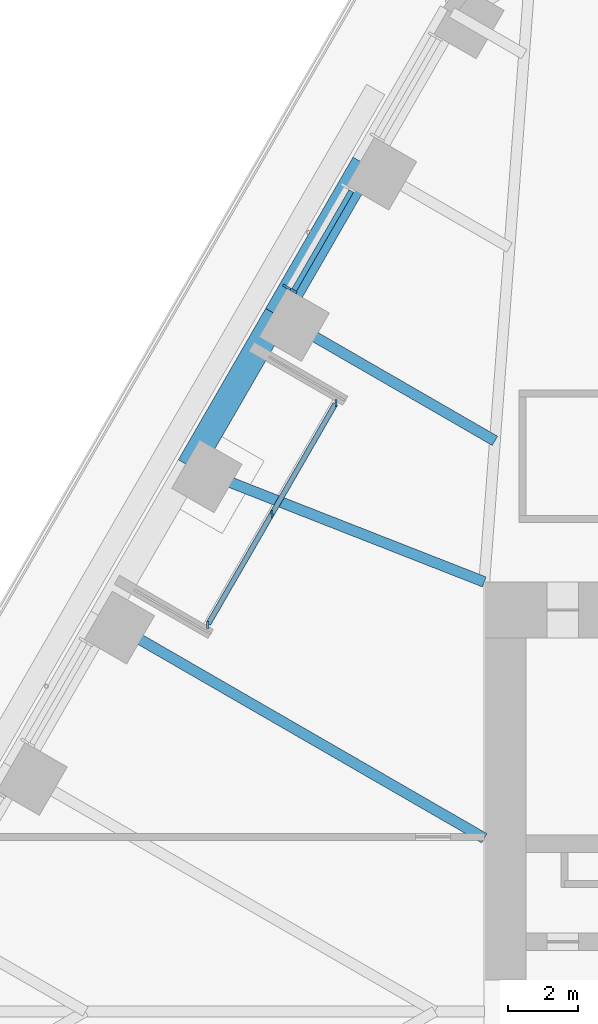
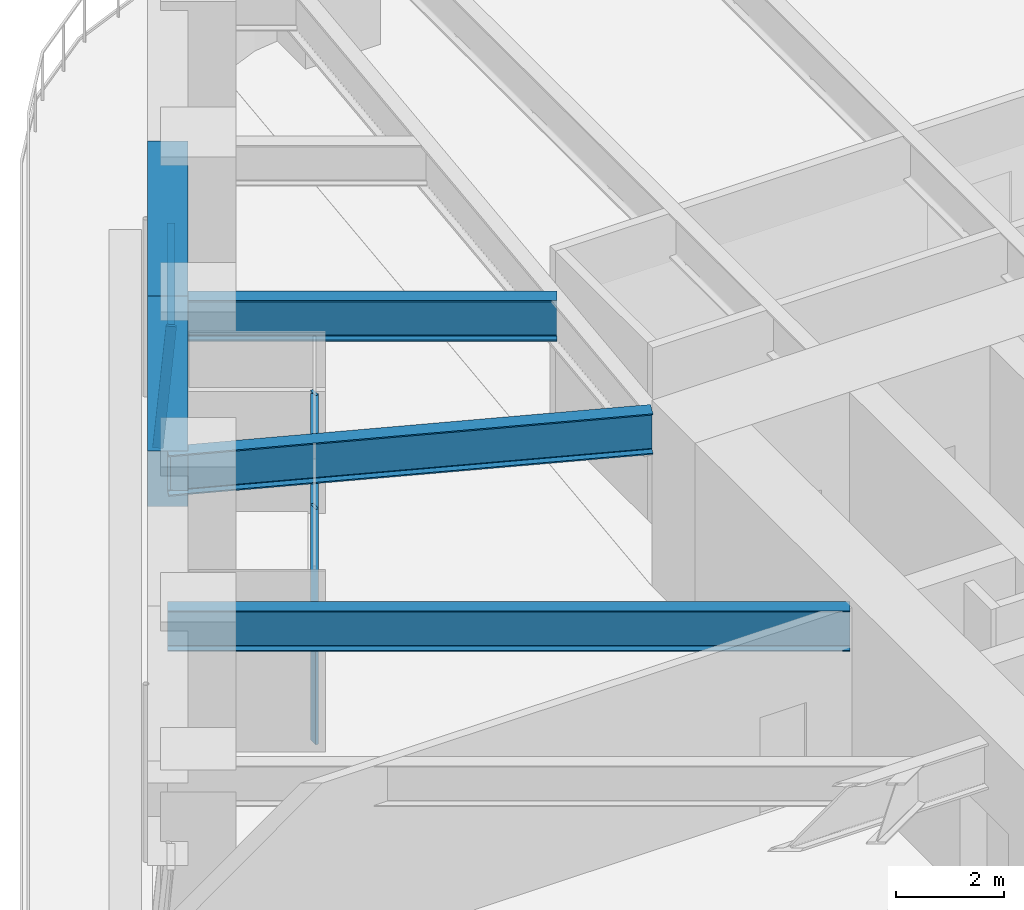
# One storey, part 8 of 24: 6 members, 5 beams, 2 elements without a shape of their own.
"""IFC4 building model written with IfcOpenShell, lengths in metres."""

from ifc_helpers import new_model, si_unit, direction, frame, origin, origin_2d, place, context, subcontext, project, spatial, rectangle, i_section, extrude, material, material_profile, profile_set, type_object, element, aggregate, save


model = new_model("IFC4")

# Units and contexts
model_context = context("Model", 3, precision=1e-05, world=origin(), true_north=direction((0.0, 1.0)))
body_context = subcontext(model_context, "Body", "Model", "MODEL_VIEW")
ifc_project = project(units=[si_unit("LENGTHUNIT", "METRE"), si_unit("AREAUNIT", "SQUARE_METRE"), si_unit("VOLUMEUNIT", "CUBIC_METRE"), si_unit("PLANEANGLEUNIT", "RADIAN"), si_unit("MASSUNIT", "GRAM", prefix="KILO")], contexts=[model_context])

# Site, building, storey
site_placement = place(None, origin())
site = spatial("IfcSite", under=ifc_project, at=site_placement, CompositionType="ELEMENT")
building_placement = place(site_placement, origin())
building = spatial("IfcBuilding", under=site, at=building_placement, Name="Tarfa Lantern Tower", CompositionType="ELEMENT")
storey_placement = place(building_placement, frame((0.0, 0.0, 165.699951171875)))
storey = spatial("IfcBuildingStorey", under=building, at=storey_placement, Name="L37", CompositionType="ELEMENT", Elevation=165.699951171875)

# Curtain wall, member
ifc_material_1 = material(Name="Aluminium framed curtain wall", Category="aluminium")
curtain_wall_type_1 = type_object("IfcCurtainWallType", Name="CW2 CANTED GLAZING MID ZONE 2750", PredefinedType="USERDEFINED", material=ifc_material_1)
curtain_wall_1_placement = place(storey_placement, origin())
curtain_wall_1 = element("IfcCurtainWall", 1, at=curtain_wall_1_placement, inside=storey, type_object=curtain_wall_type_1, Name="CW2 NW L37", ObjectType="CURTAIN WALL", PredefinedType="USERDEFINED")
ifc_material_2 = material(Name="Aluminium mullion", Category="aluminium")
ifc_material_profile_1 = material_profile(ifc_material_2, rectangle(XDim=0.06494140625, YDim=0.199951171875, at=origin_2d()), Name="AL MULLION 65x200")
ifc_profile_set_1 = profile_set([ifc_material_profile_1], Name="Aluminium mullion")
member_type_1 = type_object("IfcMemberType", Name="CWM1 MULLION 65x200", PredefinedType="MULLION", material=ifc_profile_set_1)
member_1_placement = place(storey_placement, frame((-24.275146484375, 20.75439453125, 0.0), z_axis=(0.078422950161, -0.045267813396, 0.995891894715), x_axis=(0.499919672301, 0.866071776036, 0.0)))
member_1 = element("IfcMember", 2, at=member_1_placement, type_object=member_type_1, Name="CW2 mullion 2", PredefinedType="MULLION", context=body_context, shape_type="SweptSolid", body=[
    extrude(rectangle(XDim=0.06494140625, YDim=0.199951171875, at=origin_2d()), origin(), (0.0, 0.0, 1.0), 2.76123046875),
])

# Curtain wall, members
curtain_wall_type_2 = type_object("IfcCurtainWallType", Name="CW10 LOGGIA GLAZING 2750", PredefinedType="USERDEFINED", material=ifc_material_1)
curtain_wall_2_placement = place(storey_placement, origin())
curtain_wall_2 = element("IfcCurtainWall", 3, at=curtain_wall_2_placement, inside=storey, type_object=curtain_wall_type_2, Name="CW10 NWL L37", ObjectType="CURTAIN WALL", PredefinedType="USERDEFINED")
member_2_placement = place(storey_placement, frame((-22.84619140625, 17.429443359375, 0.0), z_axis=(0.0, 0.0, 1.0), x_axis=(1.0, 0.0, 0.0)))
member_2 = element("IfcMember", 4, at=member_2_placement, type_object=member_type_1, Name="CW10 mullion 1", PredefinedType="MULLION", context=body_context, shape_type="SweptSolid", body=[
    extrude(rectangle(XDim=0.06494140625, YDim=0.199951171875, at=origin_2d()), origin(), (0.0, 0.0, 1.0), 2.75),
])
member_3_placement = place(storey_placement, frame((-24.681640625, 14.25, 0.0), z_axis=(0.0, 0.0, 1.0), x_axis=(1.0, 0.0, 0.0)))
member_3 = element("IfcMember", 5, at=member_3_placement, type_object=member_type_1, Name="CW10 mullion 2", PredefinedType="MULLION", context=body_context, shape_type="SweptSolid", body=[
    extrude(rectangle(XDim=0.06494140625, YDim=0.199951171875, at=origin_2d()), origin(), (0.0, 0.0, 1.0), 2.75),
])
member_4_placement = place(storey_placement, frame((-26.517333984375, 11.070556640625, 0.0), z_axis=(0.0, 0.0, 1.0), x_axis=(1.0, 0.0, 0.0)))
member_4 = element("IfcMember", 6, at=member_4_placement, type_object=member_type_1, Name="CW10 mullion 3", PredefinedType="MULLION", context=body_context, shape_type="SweptSolid", body=[
    extrude(rectangle(XDim=0.06494140625, YDim=0.199951171875, at=origin_2d()), origin(), (0.0, 0.0, 1.0), 2.75),
])

# Member
ifc_material_3 = material(Name="Aluminium transom", Category="aluminium")
ifc_material_profile_2 = material_profile(ifc_material_3, rectangle(XDim=0.14990234375, YDim=0.06494140625, at=origin_2d()), Name="AL TRANSOM 150x65")
ifc_profile_set_2 = profile_set([ifc_material_profile_2], Name="Aluminium transom")
member_type_2 = type_object("IfcMemberType", Name="CWT1 TRANSOM 150x65", PredefinedType="USERDEFINED", material=ifc_profile_set_2)
member_5_placement = place(storey_placement, frame((-22.407958984375, 23.494140625, 2.717529296875), z_axis=(-0.500012937857, -0.86601793398, 0.0), x_axis=(0.86601793398, -0.500012937857, 0.0)))
member_5 = element("IfcMember", 7, at=member_5_placement, type_object=member_type_2, Name="CW2 transom 1.2", ObjectType="TRANSOM", PredefinedType="USERDEFINED", context=body_context, shape_type="SweptSolid", body=[
    extrude(rectangle(XDim=0.14990234375, YDim=0.06494140625, at=origin_2d()), origin(), (0.0, 0.0, 1.0), 3.27392578125),
])

aggregate(curtain_wall_1, [member_1, member_5])

member_6_placement = place(storey_placement, frame((-22.8623046875, 17.401123046875, 2.717529296875), z_axis=(-0.500007048974, -0.866021334019, 0.0), x_axis=(0.866021334019, -0.500007048974, 0.0)))
member_6 = element("IfcMember", 8, at=member_6_placement, type_object=member_type_2, Name="CW10 transom 1.2", ObjectType="TRANSOM", PredefinedType="USERDEFINED", context=body_context, shape_type="SweptSolid", body=[
    extrude(rectangle(XDim=0.14990234375, YDim=0.06494140625, at=origin_2d()), origin(), (0.0, 0.0, 1.0), 7.27734375),
])

aggregate(curtain_wall_2, [member_2, member_3, member_4, member_6])

# Beams
ifc_material_4 = material(Name="Concrete C80/95", Category="concrete")
ifc_material_profile_3 = material_profile(ifc_material_4, rectangle(XDim=0.75, YDim=1.25, at=origin_2d()), Name="RC 750x1250")
ifc_profile_set_3 = profile_set([ifc_material_profile_3], Name="Concrete C80/95")
beam_type_1 = type_object("IfcBeamType", Name="EB2 RC 750x1250", PredefinedType="SPANDREL", material=ifc_profile_set_3)
for number, where, z_axis, x_axis, name in (
    (9, (-22.03369140625, 24.276611328125, 3.375), (-0.49998573051, -0.866033642122, 0.0), (0.866033642122, -0.49998573051, 0.0), "Edge beam NW1"),
    (10, (-24.535400390625, 19.943359375, 3.375), (-0.500022324899, -0.866012514114, 0.0), (0.866012514114, -0.500022324899, 0.0), "Edge beam NW2"),
):
    element("IfcBeam", number, at=place(storey_placement, frame(where, z_axis=z_axis, x_axis=x_axis)), inside=storey, type_object=beam_type_1, Name=name, PredefinedType="SPANDREL", context=body_context, shape_type="SweptSolid", body=[
        extrude(rectangle(XDim=0.75, YDim=1.25, at=origin_2d()), origin(), (0.0, 0.0, 1.0), 5.003662109375),
    ])
ifc_material_5 = material(Name="Steel S460M", Category="steel")
ifc_material_profile_4 = material_profile(ifc_material_5, i_section(OverallWidth=0.305419921875, OverallDepth=0.91845703125, WebThickness=0.017333984375, FlangeThickness=0.02783203125, FilletRadius=0.01904296875, at=origin_2d()), Name="UB914x305x253")
ifc_profile_set_4 = profile_set([ifc_material_profile_4], Name="Steel S460M")
beam_type_2 = type_object("IfcBeamType", Name="UB914x305x253", PredefinedType="BEAM", material=ifc_profile_set_4)
beam_1_placement = place(storey_placement, frame((-24.535400390625, 19.943359375, 3.540771484375), z_axis=(0.86602647304, -0.499998147991, 0.0), x_axis=(0.499998147991, 0.86602647304, 0.0)))
element("IfcBeam", 11, at=beam_1_placement, inside=storey, type_object=beam_type_2, Name="Floor beam NW2", PredefinedType="BEAM", context=body_context, shape_type="SweptSolid", body=[
    extrude(i_section(OverallWidth=0.305419921875, OverallDepth=0.91845703125, WebThickness=0.017333984375, FlangeThickness=0.02783203125, FilletRadius=0.01904296875, at=origin_2d()), origin(), (0.0, 0.0, 1.0), 7.20556640625),
])
beam_2_placement = place(storey_placement, frame((-27.037353515625, 15.610107421875, 3.540771484375), z_axis=(0.930923282782, -0.365214788274, 0.0), x_axis=(0.365214788274, 0.930923282782, 0.0)))
element("IfcBeam", 12, at=beam_2_placement, inside=storey, type_object=beam_type_2, Name="Floor beam NW3", PredefinedType="BEAM", context=body_context, shape_type="SweptSolid", body=[
    extrude(i_section(OverallWidth=0.305419921875, OverallDepth=0.91845703125, WebThickness=0.017333984375, FlangeThickness=0.02783203125, FilletRadius=0.01904296875, at=origin_2d()), origin(), (0.0, 0.0, 1.0), 9.063232421875),
])
beam_3_placement = place(storey_placement, frame((-29.5390625, 11.276611328125, 3.540771484375), z_axis=(0.866023362995, -0.500003534735, 0.0), x_axis=(0.500003534735, 0.866023362995, 0.0)))
element("IfcBeam", 13, at=beam_3_placement, inside=storey, type_object=beam_type_2, Name="Floor beam NW4", PredefinedType="BEAM", context=body_context, shape_type="SweptSolid", body=[
    extrude(i_section(OverallWidth=0.305419921875, OverallDepth=0.91845703125, WebThickness=0.017333984375, FlangeThickness=0.02783203125, FilletRadius=0.01904296875, at=origin_2d()), origin(), (0.0, 0.0, 1.0), 12.63134765625),
])

save(model, "model.ifc")
